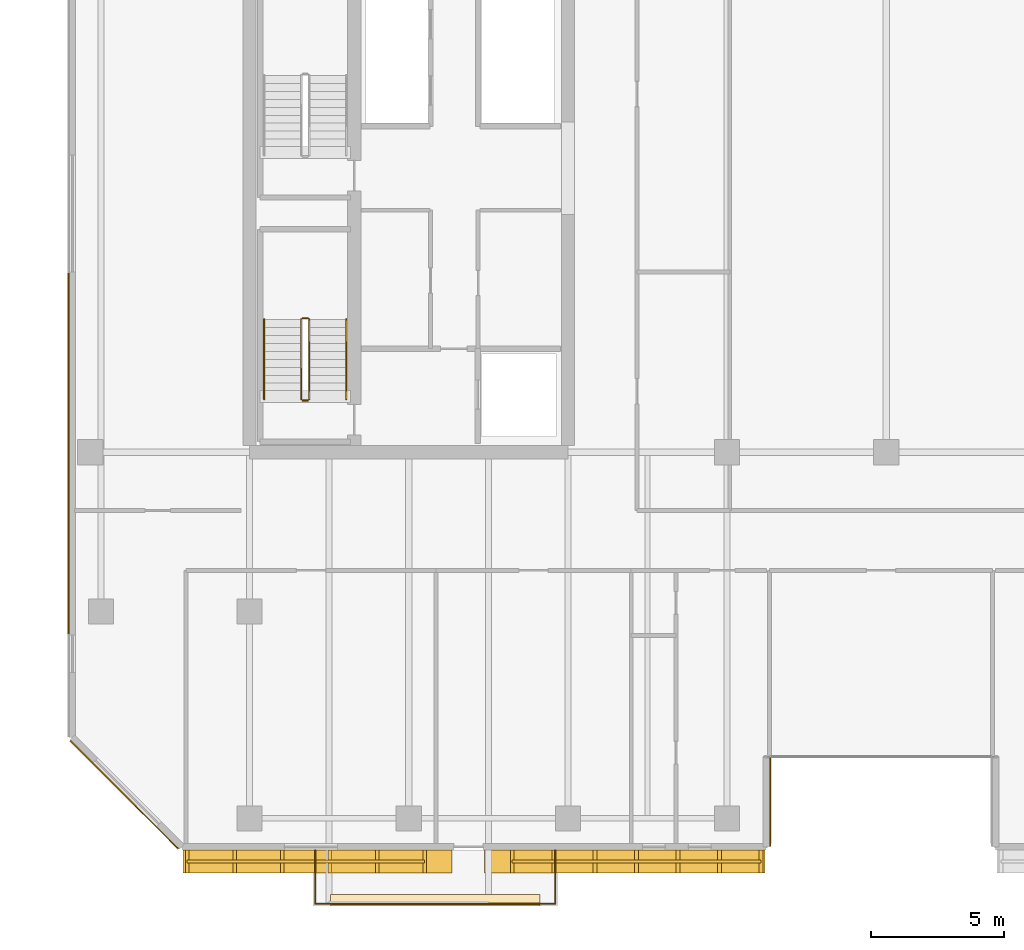
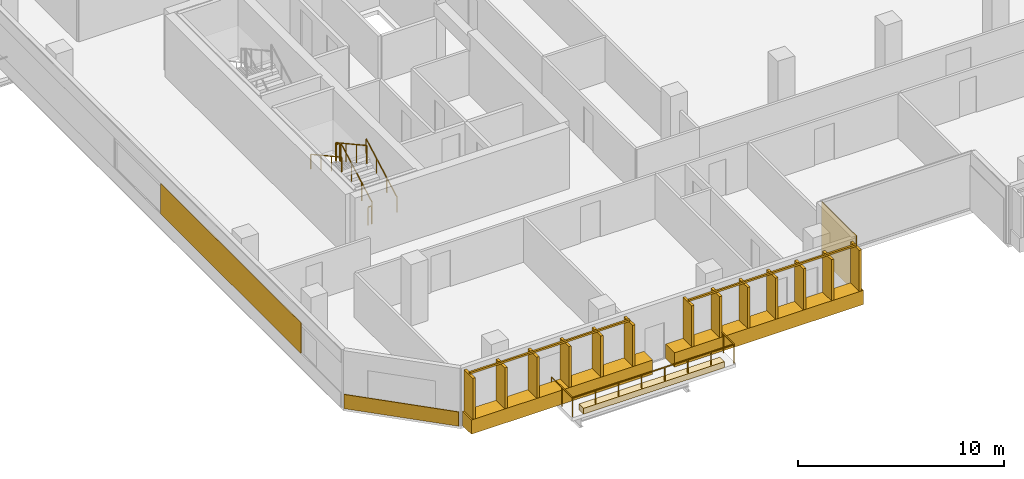
# One storey, part 17 of 22: 9 railings, 6 coverings.
"""IFC4 building model written with IfcOpenShell, lengths in metres."""

from ifc_helpers import new_model, si_unit, direction, frame, origin, origin_2d, place, context, subcontext, project, spatial, polyline, rectangle, outline, extrude, material, layer, layer_set, type_object, element, save


model = new_model("IFC4")

# Units and contexts
model_context = context("Model", 3, precision=1e-05, world=origin(), true_north=direction((0.0, 1.0)))
body_context = subcontext(model_context, "Body", "Model", "MODEL_VIEW")
ifc_project = project(units=[si_unit("LENGTHUNIT", "METRE"), si_unit("AREAUNIT", "SQUARE_METRE"), si_unit("VOLUMEUNIT", "CUBIC_METRE"), si_unit("PLANEANGLEUNIT", "RADIAN"), si_unit("MASSUNIT", "GRAM", prefix="KILO")], contexts=[model_context])

# Site, building, storey
site_placement = place(None, origin())
site = spatial("IfcSite", under=ifc_project, at=site_placement, CompositionType="ELEMENT")
building_placement = place(site_placement, origin())
building = spatial("IfcBuilding", under=site, at=building_placement, Name="Tanjung Sevakor Pilgrim Tower", CompositionType="ELEMENT")
storey_placement = place(building_placement, frame((0.0, 0.0, 115.830078125)))
storey = spatial("IfcBuildingStorey", under=building, at=storey_placement, Name="L32", CompositionType="ELEMENT", Elevation=115.830078125)

# Coverings
ifc_material_1 = material(Name="Reconstructed Limestone Cladding", Category="masonry")
ifc_layer_1 = layer(ifc_material_1, 0.044921875)
ifc_layer_set_1 = layer_set([ifc_layer_1], Name="COV-CLAD-LIMESTONE")
covering_type_1 = type_object("IfcCoveringType", Name="COV-CLAD-LIMESTONE", PredefinedType="CLADDING", material=ifc_layer_set_1)
covering_1_placement = place(storey_placement, frame((26.56591796875, 9.169921875, 0.009765625), z_axis=(0.0, 0.0, 1.0), x_axis=(1.0, 0.0, 0.0)))
element("IfcCovering", 1, at=covering_1_placement, inside=storey, type_object=covering_type_1, Name="L32 Warm Limestone Sill Spandrel EW-L32-MAIN-1-1", PredefinedType="CLADDING", context=body_context, shape_type="SweptSolid", body=[
    extrude(rectangle(XDim=10.148193359375, YDim=0.860107421875, at=origin_2d()), origin(), (0.0, 0.0, 1.0), 0.840087890625),
])
covering_2_placement = place(storey_placement, frame((38.1474609375, 9.169921875, 0.009765625), z_axis=(0.0, 0.0, 1.0), x_axis=(1.0, 0.0, 0.0)))
element("IfcCovering", 2, at=covering_2_placement, inside=storey, type_object=covering_type_1, Name="L32 Warm Limestone Sill Spandrel EW-L32-MAIN-1-2", PredefinedType="CLADDING", context=body_context, shape_type="SweptSolid", body=[
    extrude(rectangle(XDim=10.574951171875, YDim=0.860107421875, at=origin_2d()), origin(), (0.0, 0.0, 1.0), 0.840087890625),
])
covering_3_placement = place(storey_placement, frame((43.62255859375, 11.425048828125, 0.019775390625), z_axis=(0.0, 0.0, 1.0), x_axis=(0.0, 1.0, 0.0)))
element("IfcCovering", 3, at=covering_3_placement, inside=storey, type_object=covering_type_1, Name="L32 Warm Limestone Wall Cladding EW-L32-MAIN-2", PredefinedType="CLADDING", context=body_context, shape_type="SweptSolid", body=[
    extrude(rectangle(XDim=3.360107421875, YDim=0.044921875, at=origin_2d()), origin(), (0.0, 0.0, 1.0), 3.3701171875),
])
covering_4_placement = place(storey_placement, frame((17.177490234375, 24.552978515625, 0.849853515625), z_axis=(0.0, 0.0, 1.0), x_axis=(0.0, -1.0, 0.0)))
element("IfcCovering", 4, at=covering_4_placement, inside=storey, type_object=covering_type_1, Name="L32 Warm Limestone Pier Panel EW-L32-MAIN-15-2", PredefinedType="CLADDING", context=body_context, shape_type="SweptSolid", body=[
    extrude(rectangle(XDim=13.593994140625, YDim=0.044921875, at=origin_2d()), origin(), (0.0, 0.0, 1.0), 1.81005859375),
])
covering_5_placement = place(storey_placement, frame((19.2841796875, 11.68408203125, 0.009765625), z_axis=(0.0, 0.0, 1.0), x_axis=(0.707106781187, -0.707106781187, 0.0)))
element("IfcCovering", 5, at=covering_5_placement, inside=storey, type_object=covering_type_1, Name="L32 Warm Limestone Sill Spandrel EW-CHM-L32-MAIN-15-1", PredefinedType="CLADDING", context=body_context, shape_type="SweptSolid", body=[
    extrude(rectangle(XDim=5.756103515625, YDim=0.044921875, at=origin_2d()), origin(), (0.0, 0.0, 1.0), 0.840087890625),
])
ifc_material_2 = material(Name="Vegetated Modular Planter Assembly", Category="organic")
ifc_layer_2 = layer(ifc_material_2, 0.35009765625)
ifc_layer_set_2 = layer_set([ifc_layer_2], Name="COV-GRN-TROUGH")
covering_type_2 = type_object("IfcCoveringType", Name="COV-GRN-TROUGH", PredefinedType="CLADDING", material=ifc_layer_set_2)
covering_6_placement = place(storey_placement, origin())
element("IfcCovering", 6, at=covering_6_placement, inside=storey, type_object=covering_type_2, Name="L32 Planted Landscape Hedge Trough BGRN-L32-MAIN-S1", PredefinedType="CLADDING", context=body_context, shape_type="SweptSolid", body=[
    extrude(outline(polyline([(27.050048828125, 7.5), (34.949951171875, 7.5), (34.949951171875, 7.93994140625), (27.050048828125, 7.93994140625), (27.050048828125, 7.5)])), origin(), (0.0, 0.0, 1.0), 0.349853515625),
])

# Railings
ifc_material_3 = material(Name="Laminated Glass and Aluminium", Category="aluminium")
railing_type_1 = type_object("IfcRailingType", Name="RL-BAL-BALUST", PredefinedType="BALUSTRADE", material=ifc_material_3)
railing_1_placement = place(storey_placement, frame((26.47998046875, 9.60009765625, 0.0)))
element("IfcRailing", 7, at=railing_1_placement, inside=storey, type_object=railing_type_1, Name="L32 Loggia Balustrade MAIN-S1", PredefinedType="BALUSTRADE", context=body_context, shape_type="SweptSolid", body=[
    extrude(rectangle(XDim=0.0479, YDim=0.0479), frame((0.0, 0.0, 1.1259765625), z_axis=(0.0, -1.0, 0.0), x_axis=(1.0, 0.0, 0.0)), (0.0, 0.0, 1.0), 2.02001953125),
    extrude(rectangle(XDim=0.0479, YDim=0.0479), frame((0.0, -2.02001953125, 1.1259765625), z_axis=(1.0, 0.0, 0.0), x_axis=(0.0, 1.0, 0.0)), (0.0, 0.0, 1.0), 9.0400390625),
    extrude(rectangle(XDim=0.0479, YDim=0.0479), frame((9.0400390625, -2.02001953125, 1.1259765625), z_axis=(0.0, 1.0, 0.0), x_axis=(-1.0, 0.0, 0.0)), (0.0, 0.0, 1.0), 2.02001953125),
    extrude(rectangle(XDim=0.042, YDim=0.042), origin(), (0.0, 0.0, 1.0), 1.101806640625),
    extrude(rectangle(XDim=0.042, YDim=0.042), frame((0.0, -1.010009765625, 0.0)), (0.0, 0.0, 1.0), 1.101806640625),
    extrude(rectangle(XDim=0.042, YDim=0.042), frame((0.0, -2.02001953125, 0.0)), (0.0, 0.0, 1.0), 1.101806640625),
    extrude(rectangle(XDim=0.042, YDim=0.042), frame((1.29150390625, -2.02001953125, 0.0)), (0.0, 0.0, 1.0), 1.101806640625),
    extrude(rectangle(XDim=0.042, YDim=0.042), frame((2.582763671875, -2.02001953125, 0.0)), (0.0, 0.0, 1.0), 1.101806640625),
    extrude(rectangle(XDim=0.042, YDim=0.042), frame((3.874267578125, -2.02001953125, 0.0)), (0.0, 0.0, 1.0), 1.101806640625),
    extrude(rectangle(XDim=0.042, YDim=0.042), frame((5.165771484375, -2.02001953125, 0.0)), (0.0, 0.0, 1.0), 1.101806640625),
    extrude(rectangle(XDim=0.042, YDim=0.042), frame((6.457275390625, -2.02001953125, 0.0)), (0.0, 0.0, 1.0), 1.101806640625),
    extrude(rectangle(XDim=0.042, YDim=0.042), frame((7.74853515625, -2.02001953125, 0.0)), (0.0, 0.0, 1.0), 1.101806640625),
    extrude(rectangle(XDim=0.042, YDim=0.042), frame((9.0400390625, -2.02001953125, 0.0)), (0.0, 0.0, 1.0), 1.101806640625),
    extrude(rectangle(XDim=0.042, YDim=0.042), frame((9.0400390625, -1.010009765625, 0.0)), (0.0, 0.0, 1.0), 1.101806640625),
    extrude(rectangle(XDim=0.042, YDim=0.042), frame((9.0400390625, 0.0, 0.0)), (0.0, 0.0, 1.0), 1.101806640625),
])
ifc_material_4 = material(Name="Anodised Bronze Aluminium 6063-T6", Category="aluminium")
railing_type_2 = type_object("IfcRailingType", Name="RL-FIN-SCREEN", PredefinedType="BALUSTRADE", material=ifc_material_4)
railing_2_placement = place(storey_placement, frame((21.65185546875, 9.175048828125, 0.83984375)))
element("IfcRailing", 8, at=railing_2_placement, inside=storey, type_object=railing_type_2, Name="L32 Vertical Bronze-Gold Solar Fin Screen FNSCR-EW-L32-MAIN-1-1", PredefinedType="BALUSTRADE", context=body_context, shape_type="SweptSolid", body=[
    extrude(rectangle(XDim=0.105, YDim=0.105), frame((0.0, 0.0, 2.487548828125), z_axis=(1.0, 0.0, 0.0), x_axis=(0.0, 1.0, 0.0)), (0.0, 0.0, 1.0), 8.9482421875),
    extrude(rectangle(XDim=0.14, YDim=0.85), origin(), (0.0, 0.0, 1.0), 2.43505859375),
    extrude(rectangle(XDim=0.14, YDim=0.85), frame((1.78955078125, 0.0, 0.0)), (0.0, 0.0, 1.0), 2.43505859375),
    extrude(rectangle(XDim=0.14, YDim=0.85), frame((3.579345703125, 0.0, 0.0)), (0.0, 0.0, 1.0), 2.43505859375),
    extrude(rectangle(XDim=0.14, YDim=0.85), frame((5.368896484375, 0.0, 0.0)), (0.0, 0.0, 1.0), 2.43505859375),
    extrude(rectangle(XDim=0.14, YDim=0.85), frame((7.15869140625, 0.0, 0.0)), (0.0, 0.0, 1.0), 2.43505859375),
    extrude(rectangle(XDim=0.14, YDim=0.85), frame((8.9482421875, 0.0, 0.0)), (0.0, 0.0, 1.0), 2.43505859375),
])
railing_3_placement = place(storey_placement, frame((33.89990234375, 9.175048828125, 0.83984375)))
element("IfcRailing", 9, at=railing_3_placement, inside=storey, type_object=railing_type_2, Name="L32 Vertical Bronze-Gold Solar Fin Screen FNSCR-EW-L32-MAIN-1-2", PredefinedType="BALUSTRADE", context=body_context, shape_type="SweptSolid", body=[
    extrude(rectangle(XDim=0.105, YDim=0.105), frame((0.0, 0.0, 2.487548828125), z_axis=(1.0, 0.0, 0.0), x_axis=(0.0, 1.0, 0.0)), (0.0, 0.0, 1.0), 9.375),
    extrude(rectangle(XDim=0.14, YDim=0.85), origin(), (0.0, 0.0, 1.0), 2.43505859375),
    extrude(rectangle(XDim=0.14, YDim=0.85), frame((1.5625, 0.0, 0.0)), (0.0, 0.0, 1.0), 2.43505859375),
    extrude(rectangle(XDim=0.14, YDim=0.85), frame((3.125, 0.0, 0.0)), (0.0, 0.0, 1.0), 2.43505859375),
    extrude(rectangle(XDim=0.14, YDim=0.85), frame((4.6875, 0.0, 0.0)), (0.0, 0.0, 1.0), 2.43505859375),
    extrude(rectangle(XDim=0.14, YDim=0.85), frame((6.25, 0.0, 0.0)), (0.0, 0.0, 1.0), 2.43505859375),
    extrude(rectangle(XDim=0.14, YDim=0.85), frame((7.8125, 0.0, 0.0)), (0.0, 0.0, 1.0), 2.43505859375),
    extrude(rectangle(XDim=0.14, YDim=0.85), frame((9.375, 0.0, 0.0)), (0.0, 0.0, 1.0), 2.43505859375),
])
ifc_material_5 = material(Name="Steel S355J2", Category="steel")
railing_type_3 = type_object("IfcRailingType", Name="RL-STAIR-GUARD", PredefinedType="GUARDRAIL", material=ifc_material_5)
railing_4_placement = place(storey_placement, frame((26.25, 26.60009765625, 0.1650390625)))
element("IfcRailing", 10, at=railing_4_placement, inside=storey, type_object=railing_type_3, Name="L32 TS-W1 stair guard 1", PredefinedType="GUARDRAIL", context=body_context, shape_type="SweptSolid", body=[
    extrude(rectangle(XDim=0.0479, YDim=0.0479), frame((0.0, 0.0, 1.076171875), z_axis=(0.0, 0.876227952683, 0.48189685093), x_axis=(-1.0, 0.0, 0.0)), (0.0, 0.0, 1.0), 3.423828125),
    extrude(rectangle(XDim=0.042, YDim=0.042), origin(), (0.0, 0.0, 1.0), 1.052001953125),
    extrude(rectangle(XDim=0.042, YDim=0.042), frame((0.0, 1.0, 0.550048828125)), (0.0, 0.0, 1.0), 1.052001953125),
    extrude(rectangle(XDim=0.042, YDim=0.042), frame((0.0, 2.0, 1.099853515625)), (0.0, 0.0, 1.0), 1.052001953125),
    extrude(rectangle(XDim=0.042, YDim=0.042), frame((0.0, 3.0, 1.64990234375)), (0.0, 0.0, 1.0), 1.052001953125),
])
railing_5_placement = place(storey_placement, frame((26.199951171875, 29.64990234375, 1.81494140625)))
element("IfcRailing", 11, at=railing_5_placement, inside=storey, type_object=railing_type_3, Name="L32 TS-W1 stair guard 2", PredefinedType="GUARDRAIL", context=body_context, shape_type="SweptSolid", body=[
    extrude(rectangle(XDim=0.0479, YDim=0.0479), frame((0.0, 0.0, 1.076171875), z_axis=(-1.0, 0.0, 0.0), x_axis=(0.0, -1.0, 0.0)), (0.0, 0.0, 1.0), 0.199951171875),
    extrude(rectangle(XDim=0.042, YDim=0.042), origin(), (0.0, 0.0, 1.0), 1.052001953125),
    extrude(rectangle(XDim=0.042, YDim=0.042), frame((-0.199951171875, 0.0, 0.0)), (0.0, 0.0, 1.0), 1.052001953125),
])
railing_6_placement = place(storey_placement, frame((25.949951171875, 29.60009765625, 1.97998046875)))
element("IfcRailing", 12, at=railing_6_placement, inside=storey, type_object=railing_type_3, Name="L32 TS-W1 stair guard 3", PredefinedType="GUARDRAIL", context=body_context, shape_type="SweptSolid", body=[
    extrude(rectangle(XDim=0.0479, YDim=0.0479), frame((0.0, 0.0, 1.076171875), z_axis=(0.0, -0.876227952683, 0.48189685093), x_axis=(1.0, 0.0, 0.0)), (0.0, 0.0, 1.0), 3.423828125),
    extrude(rectangle(XDim=0.042, YDim=0.042), origin(), (0.0, 0.0, 1.0), 1.052001953125),
    extrude(rectangle(XDim=0.042, YDim=0.042), frame((0.0, -1.0, 0.550048828125)), (0.0, 0.0, 1.0), 1.052001953125),
    extrude(rectangle(XDim=0.042, YDim=0.042), frame((0.0, -2.0, 1.099853515625)), (0.0, 0.0, 1.0), 1.052001953125),
    extrude(rectangle(XDim=0.042, YDim=0.042), frame((0.0, -3.0, 1.64990234375)), (0.0, 0.0, 1.0), 1.052001953125),
])
railing_7_placement = place(storey_placement, frame((26.199951171875, 26.550048828125, 0.0)))
element("IfcRailing", 13, at=railing_7_placement, inside=storey, type_object=railing_type_3, Name="L32 TS-W1 stair guard 4", PredefinedType="GUARDRAIL", context=body_context, shape_type="SweptSolid", body=[
    extrude(rectangle(XDim=0.0479, YDim=0.0479), frame((0.0, 0.0, 1.076171875), z_axis=(-1.0, 0.0, 0.0), x_axis=(0.0, -1.0, 0.0)), (0.0, 0.0, 1.0), 0.199951171875),
    extrude(rectangle(XDim=0.042, YDim=0.042), origin(), (0.0, 0.0, 1.0), 1.052001953125),
    extrude(rectangle(XDim=0.042, YDim=0.042), frame((-0.199951171875, 0.0, 0.0)), (0.0, 0.0, 1.0), 1.052001953125),
])
ifc_material_6 = material(Name="Steel S355J2", Category="steel")
railing_type_4 = type_object("IfcRailingType", Name="RL-STAIR-HAND", PredefinedType="HANDRAIL", material=ifc_material_6)
railing_8_placement = place(storey_placement, frame((27.64990234375, 26.60009765625, 0.1650390625)))
element("IfcRailing", 14, at=railing_8_placement, inside=storey, type_object=railing_type_4, Name="L32 TS-W1 stair handrail 1", PredefinedType="HANDRAIL", context=body_context, shape_type="SweptSolid", body=[
    extrude(rectangle(XDim=0.0479, YDim=0.0479), frame((0.0, 0.0, 0.8759765625), z_axis=(0.0, 0.876227952683, 0.48189685093), x_axis=(-1.0, 0.0, 0.0)), (0.0, 0.0, 1.0), 3.423828125),
    extrude(rectangle(XDim=0.042, YDim=0.042), origin(), (0.0, 0.0, 1.0), 0.851806640625),
    extrude(rectangle(XDim=0.042, YDim=0.042), frame((0.0, 1.0, 0.550048828125)), (0.0, 0.0, 1.0), 0.851806640625),
    extrude(rectangle(XDim=0.042, YDim=0.042), frame((0.0, 2.0, 1.099853515625)), (0.0, 0.0, 1.0), 0.851806640625),
    extrude(rectangle(XDim=0.042, YDim=0.042), frame((0.0, 3.0, 1.64990234375)), (0.0, 0.0, 1.0), 0.851806640625),
])
railing_9_placement = place(storey_placement, frame((24.550048828125, 29.60009765625, 1.97998046875)))
element("IfcRailing", 15, at=railing_9_placement, inside=storey, type_object=railing_type_4, Name="L32 TS-W1 stair handrail 2", PredefinedType="HANDRAIL", context=body_context, shape_type="SweptSolid", body=[
    extrude(rectangle(XDim=0.0479, YDim=0.0479), frame((0.0, 0.0, 0.8759765625), z_axis=(0.0, -0.876227952683, 0.48189685093), x_axis=(1.0, 0.0, 0.0)), (0.0, 0.0, 1.0), 3.423828125),
    extrude(rectangle(XDim=0.042, YDim=0.042), origin(), (0.0, 0.0, 1.0), 0.851806640625),
    extrude(rectangle(XDim=0.042, YDim=0.042), frame((0.0, -1.0, 0.550048828125)), (0.0, 0.0, 1.0), 0.851806640625),
    extrude(rectangle(XDim=0.042, YDim=0.042), frame((0.0, -2.0, 1.099853515625)), (0.0, 0.0, 1.0), 0.851806640625),
    extrude(rectangle(XDim=0.042, YDim=0.042), frame((0.0, -3.0, 1.64990234375)), (0.0, 0.0, 1.0), 0.851806640625),
])

save(model, "model.ifc")
